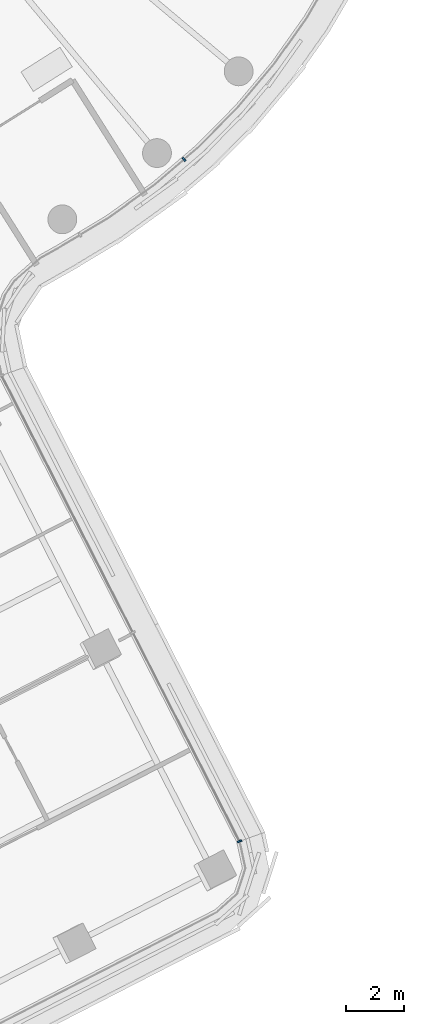
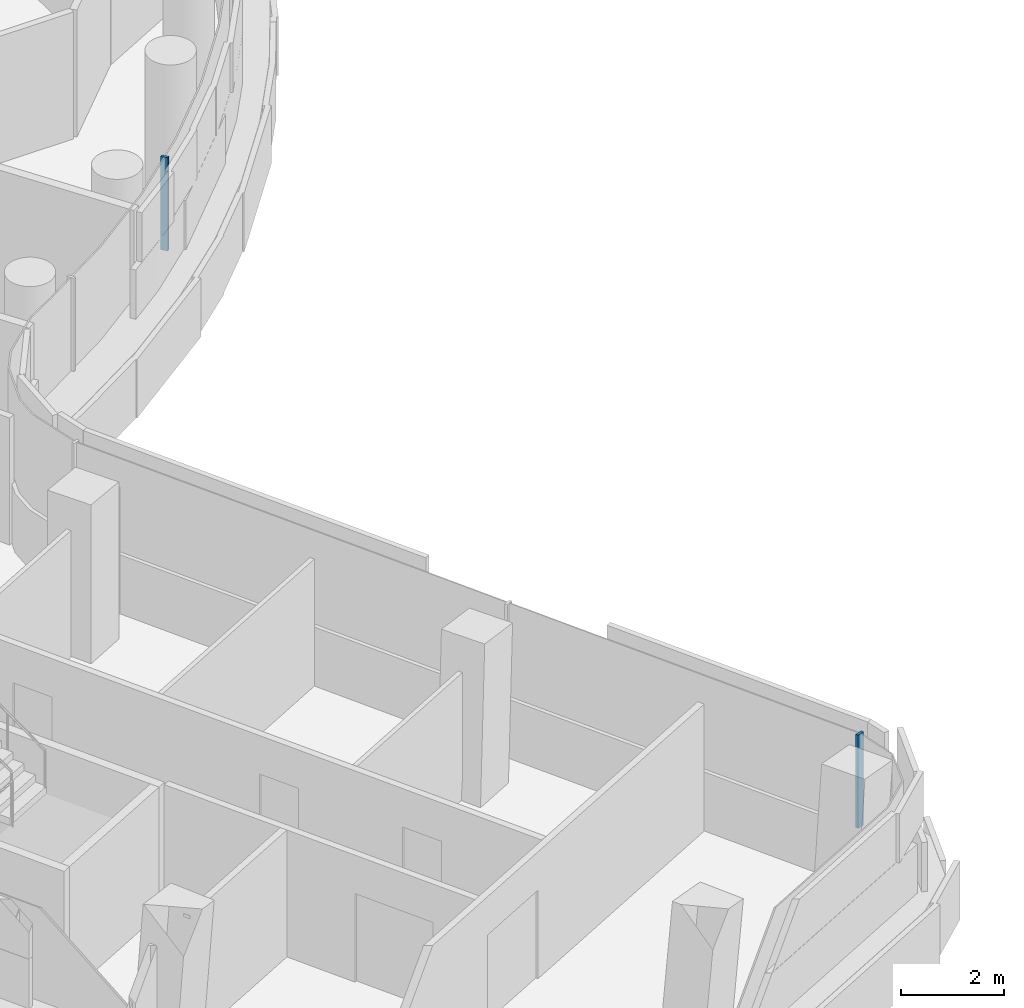
# One storey, part 10 of 37: 2 members, 2 elements without a shape of their own.
"""IFC4 building model written with IfcOpenShell, lengths in metres."""

from ifc_helpers import new_model, si_unit, direction, frame, origin, origin_2d, place, context, subcontext, project, spatial, rectangle, extrude, material, layer, layer_set, material_profile, profile_set, type_object, element, aggregate, save


model = new_model("IFC4")

# Units and contexts
model_context = context("Model", 3, precision=1e-05, world=origin(), true_north=direction((0.0, 1.0)))
body_context = subcontext(model_context, "Body", "Model", "MODEL_VIEW")
ifc_project = project(units=[si_unit("LENGTHUNIT", "METRE"), si_unit("AREAUNIT", "SQUARE_METRE"), si_unit("VOLUMEUNIT", "CUBIC_METRE"), si_unit("PLANEANGLEUNIT", "RADIAN"), si_unit("MASSUNIT", "GRAM", prefix="KILO")], contexts=[model_context])

# Site, building, storey
site_placement = place(None, origin())
site = spatial("IfcSite", under=ifc_project, at=site_placement, CompositionType="ELEMENT")
building_placement = place(site_placement, origin())
building = spatial("IfcBuilding", under=site, at=building_placement, Name="Tamarind Cross Interchange Tower", CompositionType="ELEMENT")
storey_placement = place(building_placement, frame((0.0, 0.0, 133.0)))
storey = spatial("IfcBuildingStorey", under=building, at=storey_placement, Name="L32", CompositionType="ELEMENT", Elevation=133.0)

# Curtain wall, member
ifc_material = material(Name="Aluminium 6063-T6", Category="aluminium")
ifc_layer_1 = layer(ifc_material, 0.159912109375)
ifc_layer_set_1 = layer_set([ifc_layer_1], Name="Aluminium 6063-T6")
curtain_wall_type_1 = type_object("IfcCurtainWallType", Name="Office curtain wall, 9.0 m bays", PredefinedType="NOTDEFINED", material=ifc_layer_set_1)
curtain_wall_1_placement = place(storey_placement, origin())
curtain_wall_1 = element("IfcCurtainWall", 1, at=curtain_wall_1_placement, inside=storey, type_object=curtain_wall_type_1, Name="CWS-L32-05", PredefinedType="NOTDEFINED")
ifc_material_profile_1 = material_profile(ifc_material, rectangle(XDim=0.06005859375, YDim=0.159912109375, at=origin_2d()), Name="Mullion CW1")
ifc_profile_set_1 = profile_set([ifc_material_profile_1], Name="Aluminium 6063-T6")
member_type_1 = type_object("IfcMemberType", Name="Mullion CW1", PredefinedType="MULLION", material=ifc_profile_set_1)
member_1_placement = place(storey_placement, frame((17.64892578125, -41.49853515625, 1.39990234375), z_axis=(0.0, 0.0, 1.0), x_axis=(-0.335614825807, 0.94199930398, 0.0)))
member_1 = element("IfcMember", 2, at=member_1_placement, type_object=member_type_1, Name="CWM-L32-05-00", PredefinedType="MULLION", context=body_context, shape_type="SweptSolid", body=[
    extrude(rectangle(XDim=0.06005859375, YDim=0.159912109375, at=origin_2d()), origin(), (0.0, 0.0, 1.0), 2.210205078125),
])
aggregate(curtain_wall_1, [member_1])

ifc_layer_2 = layer(ifc_material, 0.14990234375)
ifc_layer_set_2 = layer_set([ifc_layer_2], Name="Aluminium 6063-T6")
curtain_wall_type_2 = type_object("IfcCurtainWallType", Name="Winter garden and crown curtain wall", PredefinedType="NOTDEFINED", material=ifc_layer_set_2)
curtain_wall_2_placement = place(storey_placement, origin())
curtain_wall_2 = element("IfcCurtainWall", 3, at=curtain_wall_2_placement, inside=storey, type_object=curtain_wall_type_2, Name="CWS-L32-06", PredefinedType="NOTDEFINED")
ifc_material_profile_2 = material_profile(ifc_material, rectangle(XDim=0.06005859375, YDim=0.14990234375, at=origin_2d()), Name="Mullion CW6")
ifc_profile_set_2 = profile_set([ifc_material_profile_2], Name="Aluminium 6063-T6")
member_type_2 = type_object("IfcMemberType", Name="Mullion CW6", PredefinedType="MULLION", material=ifc_profile_set_2)
member_2_placement = place(storey_placement, frame((15.7236328125, -17.83740234375, 1.39990234375), z_axis=(0.0, 0.0, 1.0), x_axis=(0.760295606781, 0.64957723968, 0.0)))
member_2 = element("IfcMember", 4, at=member_2_placement, type_object=member_type_2, Name="CWM-L32-06-02", PredefinedType="MULLION", context=body_context, shape_type="SweptSolid", body=[
    extrude(rectangle(XDim=0.06005859375, YDim=0.14990234375, at=origin_2d()), origin(), (0.0, 0.0, 1.0), 2.210205078125),
])
aggregate(curtain_wall_2, [member_2])

save(model, "model.ifc")
